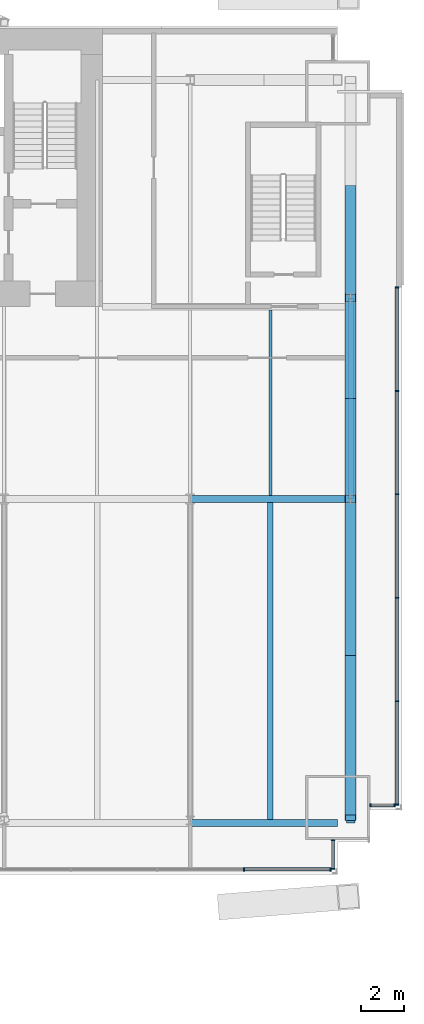
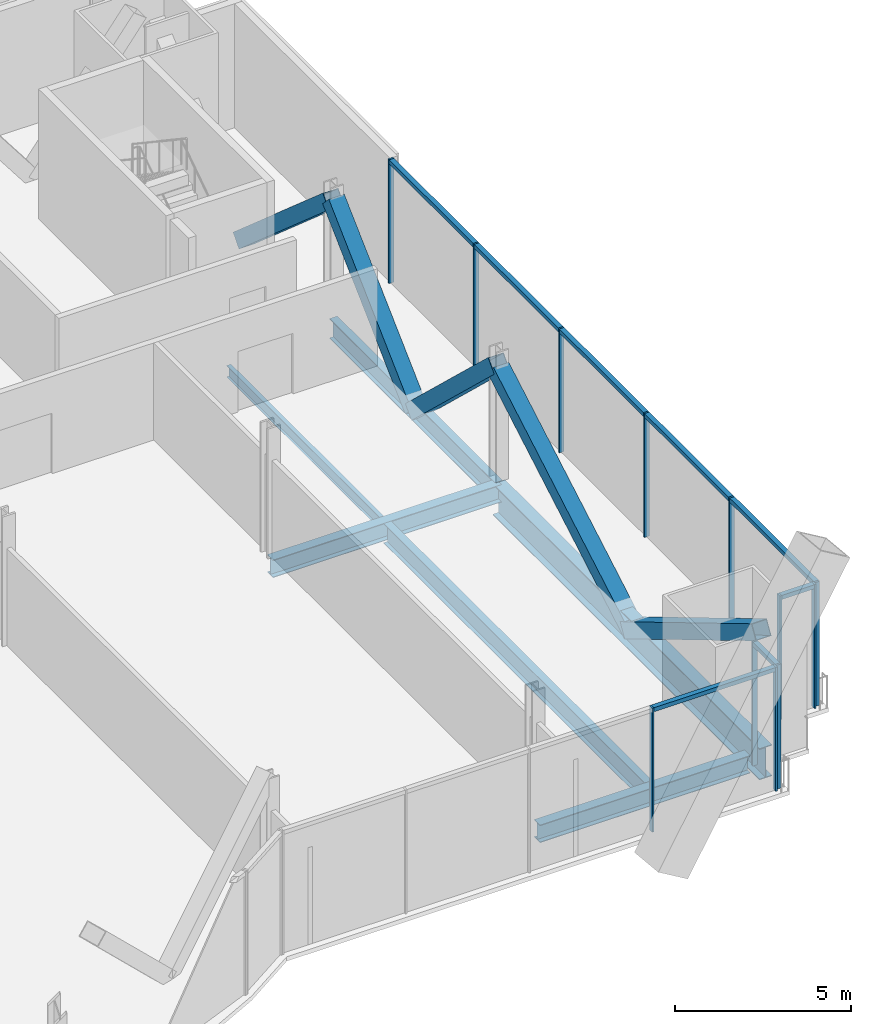
# One storey, part 12 of 21: 25 members, 6 beams, 4 elements without a shape of their own.
"""IFC4 building model written with IfcOpenShell, lengths in metres."""

from ifc_helpers import new_model, si_unit, direction, frame, origin, origin_2d, place, context, subcontext, project, spatial, rectangle, hollow_rectangle, i_section, extrude, material, material_profile, profile_set, type_object, element, aggregate, save


model = new_model("IFC4")

# Units and contexts
model_context = context("Model", 3, precision=1e-05, world=origin(), true_north=direction((0.0, 1.0)))
body_context = subcontext(model_context, "Body", "Model", "MODEL_VIEW")
ifc_project = project(units=[si_unit("LENGTHUNIT", "METRE"), si_unit("AREAUNIT", "SQUARE_METRE"), si_unit("VOLUMEUNIT", "CUBIC_METRE"), si_unit("PLANEANGLEUNIT", "RADIAN"), si_unit("MASSUNIT", "GRAM", prefix="KILO")], contexts=[model_context])

# Site, building, storey
site_placement = place(None, origin())
site = spatial("IfcSite", under=ifc_project, at=site_placement, CompositionType="ELEMENT")
building_placement = place(site_placement, origin())
building = spatial("IfcBuilding", under=site, at=building_placement, Name="Bicima Exchange Tower", CompositionType="ELEMENT")
storey_placement = place(building_placement, frame((0.0, 0.0, 80.0)))
storey = spatial("IfcBuildingStorey", under=building, at=storey_placement, Name="L16", CompositionType="ELEMENT", Elevation=80.0)

# Curtain wall, members
ifc_material_1 = material(Name="Anodised bronze aluminium", Category="aluminium")
curtain_wall_type_1 = type_object("IfcCurtainWallType", Name="End face glass wall", PredefinedType="NOTDEFINED", material=ifc_material_1)
curtain_wall_1_placement = place(storey_placement, origin())
curtain_wall_1 = element("IfcCurtainWall", 1, at=curtain_wall_1_placement, inside=storey, type_object=curtain_wall_type_1, Name="End face glass wall L16 run 19", PredefinedType="NOTDEFINED")
ifc_material_profile_1 = material_profile(ifc_material_1, rectangle(XDim=0.159912109375, YDim=0.06005859375, at=origin_2d()))
ifc_profile_set_1 = profile_set([ifc_material_profile_1], Name="Anodised bronze aluminium")
member_type_1 = type_object("IfcMemberType", Name="End face glass wall mullion 60 x 160", PredefinedType="MULLION", material=ifc_profile_set_1)
member_1_placement = place(storey_placement, frame((35.77001953125, -36.300048828125, 0.0), z_axis=(0.0, 0.0, 1.0), x_axis=(-1.0, 0.0, 0.0)))
member_1 = element("IfcMember", 2, at=member_1_placement, type_object=member_type_1, Name="End face glass wall mullion 1", PredefinedType="MULLION", context=body_context, shape_type="SweptSolid", body=[
    extrude(rectangle(XDim=0.159912109375, YDim=0.06005859375, at=origin_2d()), origin(), (0.0, 0.0, 1.0), 4.300048828125),
])
member_2_placement = place(storey_placement, frame((35.77001953125, -31.4619140625, 0.0), z_axis=(0.0, 0.0, 1.0), x_axis=(-1.0, 0.0, 0.0)))
member_2 = element("IfcMember", 3, at=member_2_placement, type_object=member_type_1, Name="End face glass wall mullion 2", PredefinedType="MULLION", context=body_context, shape_type="SweptSolid", body=[
    extrude(rectangle(XDim=0.159912109375, YDim=0.06005859375, at=origin_2d()), origin(), (0.0, 0.0, 1.0), 4.300048828125),
])
member_3_placement = place(storey_placement, frame((35.77001953125, -26.6240234375, 0.0), z_axis=(0.0, 0.0, 1.0), x_axis=(-1.0, 0.0, 0.0)))
member_3 = element("IfcMember", 4, at=member_3_placement, type_object=member_type_1, Name="End face glass wall mullion 3", PredefinedType="MULLION", context=body_context, shape_type="SweptSolid", body=[
    extrude(rectangle(XDim=0.159912109375, YDim=0.06005859375, at=origin_2d()), origin(), (0.0, 0.0, 1.0), 4.300048828125),
])
member_4_placement = place(storey_placement, frame((35.77001953125, -21.785888671875, 0.0), z_axis=(0.0, 0.0, 1.0), x_axis=(-1.0, 0.0, 0.0)))
member_4 = element("IfcMember", 5, at=member_4_placement, type_object=member_type_1, Name="End face glass wall mullion 4", PredefinedType="MULLION", context=body_context, shape_type="SweptSolid", body=[
    extrude(rectangle(XDim=0.159912109375, YDim=0.06005859375, at=origin_2d()), origin(), (0.0, 0.0, 1.0), 4.300048828125),
])
member_5_placement = place(storey_placement, frame((35.77001953125, -16.947998046875, 0.0), z_axis=(0.0, 0.0, 1.0), x_axis=(-1.0, 0.0, 0.0)))
member_5 = element("IfcMember", 6, at=member_5_placement, type_object=member_type_1, Name="End face glass wall mullion 5", PredefinedType="MULLION", context=body_context, shape_type="SweptSolid", body=[
    extrude(rectangle(XDim=0.159912109375, YDim=0.06005859375, at=origin_2d()), origin(), (0.0, 0.0, 1.0), 4.300048828125),
])
member_6_placement = place(storey_placement, frame((35.77001953125, -12.110107421875, 0.0), z_axis=(0.0, 0.0, 1.0), x_axis=(-1.0, 0.0, 0.0)))
member_6 = element("IfcMember", 7, at=member_6_placement, type_object=member_type_1, Name="End face glass wall mullion 6", PredefinedType="MULLION", context=body_context, shape_type="SweptSolid", body=[
    extrude(rectangle(XDim=0.159912109375, YDim=0.06005859375, at=origin_2d()), origin(), (0.0, 0.0, 1.0), 4.300048828125),
])
ifc_material_profile_2 = material_profile(ifc_material_1, rectangle(XDim=0.159912109375, YDim=0.139892578125, at=origin_2d()))
ifc_profile_set_2 = profile_set([ifc_material_profile_2], Name="Anodised bronze aluminium")
member_type_2 = type_object("IfcMemberType", Name="End face glass wall transom 140 x 160", PredefinedType="USERDEFINED", material=ifc_profile_set_2)
member_7_placement = place(storey_placement, frame((35.77001953125, -36.27001953125, 4.22998046875), z_axis=(0.0, 1.0, 0.0), x_axis=(-1.0, 0.0, 0.0)))
member_7 = element("IfcMember", 8, at=member_7_placement, type_object=member_type_2, Name="End face glass wall transom 1.1", ObjectType="TRANSOM", PredefinedType="USERDEFINED", context=body_context, shape_type="SweptSolid", body=[
    extrude(rectangle(XDim=0.159912109375, YDim=0.139892578125, at=origin_2d()), origin(), (0.0, 0.0, 1.0), 4.778076171875),
])
member_8_placement = place(storey_placement, frame((35.77001953125, -31.431884765625, 4.22998046875), z_axis=(0.0, 1.0, 0.0), x_axis=(-1.0, 0.0, 0.0)))
member_8 = element("IfcMember", 9, at=member_8_placement, type_object=member_type_2, Name="End face glass wall transom 2.1", ObjectType="TRANSOM", PredefinedType="USERDEFINED", context=body_context, shape_type="SweptSolid", body=[
    extrude(rectangle(XDim=0.159912109375, YDim=0.139892578125, at=origin_2d()), origin(), (0.0, 0.0, 1.0), 4.77783203125),
])
member_9_placement = place(storey_placement, frame((35.77001953125, -26.593994140625, 4.22998046875), z_axis=(0.0, 1.0, 0.0), x_axis=(-1.0, 0.0, 0.0)))
member_9 = element("IfcMember", 10, at=member_9_placement, type_object=member_type_2, Name="End face glass wall transom 3.1", ObjectType="TRANSOM", PredefinedType="USERDEFINED", context=body_context, shape_type="SweptSolid", body=[
    extrude(rectangle(XDim=0.159912109375, YDim=0.139892578125, at=origin_2d()), origin(), (0.0, 0.0, 1.0), 4.778076171875),
])
member_10_placement = place(storey_placement, frame((35.77001953125, -21.756103515625, 4.22998046875), z_axis=(0.0, 1.0, 0.0), x_axis=(-1.0, 0.0, 0.0)))
member_10 = element("IfcMember", 11, at=member_10_placement, type_object=member_type_2, Name="End face glass wall transom 4.1", ObjectType="TRANSOM", PredefinedType="USERDEFINED", context=body_context, shape_type="SweptSolid", body=[
    extrude(rectangle(XDim=0.159912109375, YDim=0.139892578125, at=origin_2d()), origin(), (0.0, 0.0, 1.0), 4.778076171875),
])
member_11_placement = place(storey_placement, frame((35.77001953125, -16.91796875, 4.22998046875), z_axis=(0.0, 1.0, 0.0), x_axis=(-1.0, 0.0, 0.0)))
member_11 = element("IfcMember", 12, at=member_11_placement, type_object=member_type_2, Name="End face glass wall transom 5.1", ObjectType="TRANSOM", PredefinedType="USERDEFINED", context=body_context, shape_type="SweptSolid", body=[
    extrude(rectangle(XDim=0.159912109375, YDim=0.139892578125, at=origin_2d()), origin(), (0.0, 0.0, 1.0), 4.778076171875),
])
aggregate(curtain_wall_1, [member_1, member_2, member_3, member_4, member_5, member_6, member_7, member_8, member_9, member_10, member_11])

# Beams
ifc_material_2 = material(Name="Steel ASTM A992 Gr 50", Category="steel")
ifc_material_profile_3 = material_profile(ifc_material_2, i_section(OverallWidth=0.256591796875, OverallDepth=0.693359375, WebThickness=0.014404296875, FlangeThickness=0.023681640625, at=origin_2d()))
ifc_profile_set_3 = profile_set([ifc_material_profile_3], Name="Steel ASTM A992 Gr 50")
beam_type_1 = type_object("IfcBeamType", Name="End girder W27x114", PredefinedType="BEAM", material=ifc_profile_set_3)
beam_1_placement = place(storey_placement, frame((33.60009765625, -12.60009765625, -0.49658203125), z_axis=(0.0, -1.0, 0.0), x_axis=(1.0, 0.0, 0.0)))
element("IfcBeam", 13, at=beam_1_placement, inside=storey, type_object=beam_type_1, Name="End girder", PredefinedType="BEAM", context=body_context, shape_type="SweptSolid", body=[
    extrude(i_section(OverallWidth=0.256591796875, OverallDepth=0.693359375, WebThickness=0.014404296875, FlangeThickness=0.023681640625, at=origin_2d()), origin(), (0.0, 0.0, 1.0), 9.39990234375),
])
ifc_material_profile_4 = material_profile(ifc_material_2, i_section(OverallWidth=0.4013671875, OverallDepth=1.089599609375, WebThickness=0.01806640625, FlangeThickness=0.031005859375, at=origin_2d()))
ifc_profile_set_4 = profile_set([ifc_material_profile_4], Name="Steel ASTM A992 Gr 50")
beam_type_2 = type_object("IfcBeamType", Name="End girder W44x230", PredefinedType="BEAM", material=ifc_profile_set_4)
beam_2_placement = place(storey_placement, frame((33.60009765625, -22.0, -0.69482421875), z_axis=(0.0, -1.0, 0.0), x_axis=(1.0, 0.0, 0.0)))
element("IfcBeam", 14, at=beam_2_placement, inside=storey, type_object=beam_type_2, Name="End girder", PredefinedType="BEAM", context=body_context, shape_type="SweptSolid", body=[
    extrude(i_section(OverallWidth=0.4013671875, OverallDepth=1.089599609375, WebThickness=0.01806640625, FlangeThickness=0.031005859375, at=origin_2d()), origin(), (0.0, 0.0, 1.0), 15.159912109375),
])
ifc_material_profile_5 = material_profile(ifc_material_2, i_section(OverallWidth=0.140380859375, OverallDepth=0.40380859375, WebThickness=0.007080078125, FlangeThickness=0.01123046875, at=origin_2d()))
ifc_profile_set_5 = profile_set([ifc_material_profile_5], Name="Steel ASTM A992 Gr 50")
beam_type_3 = type_object("IfcBeamType", Name="Floor beam W16x31", PredefinedType="JOIST", material=ifc_profile_set_5)
beam_3_placement = place(storey_placement, frame((29.85009765625, -13.15234375, -0.351806640625), z_axis=(0.0, -1.0, 0.0), x_axis=(1.0, 0.0, 0.0)))
element("IfcBeam", 15, at=beam_3_placement, inside=storey, type_object=beam_type_3, Name="Floor beam", PredefinedType="JOIST", context=body_context, shape_type="SweptSolid", body=[
    extrude(i_section(OverallWidth=0.140380859375, OverallDepth=0.40380859375, WebThickness=0.007080078125, FlangeThickness=0.01123046875, at=origin_2d()), origin(), (0.0, 0.0, 1.0), 8.68505859375),
])
ifc_material_profile_6 = material_profile(ifc_material_2, i_section(OverallWidth=0.25390625, OverallDepth=0.67822265625, WebThickness=0.01171875, FlangeThickness=0.016357421875, at=origin_2d()))
ifc_profile_set_6 = profile_set([ifc_material_profile_6], Name="Steel ASTM A992 Gr 50")
beam_type_4 = type_object("IfcBeamType", Name="Floor beam W27x84", PredefinedType="JOIST", material=ifc_profile_set_6)
beam_4_placement = place(storey_placement, frame((29.85009765625, -22.16259765625, -0.489013671875), z_axis=(0.0, -1.0, 0.0), x_axis=(1.0, 0.0, 0.0)))
element("IfcBeam", 16, at=beam_4_placement, inside=storey, type_object=beam_type_4, Name="Floor beam", PredefinedType="JOIST", context=body_context, shape_type="SweptSolid", body=[
    extrude(i_section(OverallWidth=0.25390625, OverallDepth=0.67822265625, WebThickness=0.01171875, FlangeThickness=0.016357421875, at=origin_2d()), origin(), (0.0, 0.0, 1.0), 14.834716796875),
])
ifc_material_profile_7 = material_profile(ifc_material_2, i_section(OverallWidth=0.3251953125, OverallDepth=0.612060546875, WebThickness=0.0126953125, FlangeThickness=0.01904296875, at=origin_2d()))
ifc_profile_set_7 = profile_set([ifc_material_profile_7], Name="Steel ASTM A992 Gr 50")
beam_type_5 = type_object("IfcBeamType", Name="Front girder W24x104", PredefinedType="BEAM", material=ifc_profile_set_7)
beam_5_placement = place(storey_placement, frame((26.10009765625, -37.159912109375, -0.4560546875), z_axis=(1.0, 0.0, 0.0), x_axis=(0.0, 1.0, 0.0)))
element("IfcBeam", 17, at=beam_5_placement, inside=storey, type_object=beam_type_5, Name="Front girder", PredefinedType="BEAM", context=body_context, shape_type="SweptSolid", body=[
    extrude(i_section(OverallWidth=0.3251953125, OverallDepth=0.612060546875, WebThickness=0.0126953125, FlangeThickness=0.01904296875, at=origin_2d()), origin(), (0.0, 0.0, 1.0), 6.89990234375),
])

# Curtain wall, members
curtain_wall_type_2 = type_object("IfcCurtainWallType", Name="Front glass wall", PredefinedType="NOTDEFINED", material=ifc_material_1)
curtain_wall_2_placement = place(storey_placement, origin())
curtain_wall_2 = element("IfcCurtainWall", 18, at=curtain_wall_2_placement, inside=storey, type_object=curtain_wall_type_2, Name="Front glass wall L16 run 16", PredefinedType="NOTDEFINED")
member_type_3 = type_object("IfcMemberType", Name="Front glass wall mullion 60 x 160", PredefinedType="MULLION", material=ifc_profile_set_1)
member_12_placement = place(storey_placement, frame((28.610595703125, -39.330078125, 0.0), z_axis=(0.0, 0.0, 1.0), x_axis=(0.0, 1.0, 0.0)))
member_12 = element("IfcMember", 19, at=member_12_placement, type_object=member_type_3, Name="Front glass wall mullion 4", PredefinedType="MULLION", context=body_context, shape_type="SweptSolid", body=[
    extrude(rectangle(XDim=0.159912109375, YDim=0.06005859375, at=origin_2d()), origin(), (0.0, 0.0, 1.0), 4.300048828125),
])
member_13_placement = place(storey_placement, frame((32.659912109375, -39.330078125, 0.0), z_axis=(0.0, 0.0, 1.0), x_axis=(0.0, 1.0, 0.0)))
member_13 = element("IfcMember", 20, at=member_13_placement, type_object=member_type_3, Name="Front glass wall mullion 5", PredefinedType="MULLION", context=body_context, shape_type="SweptSolid", body=[
    extrude(rectangle(XDim=0.159912109375, YDim=0.06005859375, at=origin_2d()), origin(), (0.0, 0.0, 1.0), 4.300048828125),
])

curtain_wall_3_placement = place(storey_placement, origin())
curtain_wall_3 = element("IfcCurtainWall", 21, at=curtain_wall_3_placement, inside=storey, type_object=curtain_wall_type_2, Name="Front glass wall L16 run 17", PredefinedType="NOTDEFINED")
member_14_placement = place(storey_placement, frame((32.77001953125, -39.300048828125, 0.0), z_axis=(0.0, 0.0, 1.0), x_axis=(-1.0, 0.0, 0.0)))
member_14 = element("IfcMember", 22, at=member_14_placement, type_object=member_type_3, Name="Front glass wall mullion 1", PredefinedType="MULLION", context=body_context, shape_type="SweptSolid", body=[
    extrude(rectangle(XDim=0.159912109375, YDim=0.06005859375, at=origin_2d()), origin(), (0.0, 0.0, 1.0), 4.300048828125),
])
member_15_placement = place(storey_placement, frame((32.77001953125, -37.968017578125, 0.0), z_axis=(0.0, 0.0, 1.0), x_axis=(-1.0, 0.0, 0.0)))
member_15 = element("IfcMember", 23, at=member_15_placement, type_object=member_type_3, Name="Front glass wall mullion 2", PredefinedType="MULLION", context=body_context, shape_type="SweptSolid", body=[
    extrude(rectangle(XDim=0.159912109375, YDim=0.06005859375, at=origin_2d()), origin(), (0.0, 0.0, 1.0), 4.300048828125),
])

curtain_wall_4_placement = place(storey_placement, origin())
curtain_wall_4 = element("IfcCurtainWall", 24, at=curtain_wall_4_placement, inside=storey, type_object=curtain_wall_type_2, Name="Front glass wall L16 run 18", PredefinedType="NOTDEFINED")
member_16_placement = place(storey_placement, frame((34.530029296875, -36.330078125, 0.0), z_axis=(0.0, 0.0, 1.0), x_axis=(0.0, 1.0, 0.0)))
member_16 = element("IfcMember", 25, at=member_16_placement, type_object=member_type_3, Name="Front glass wall mullion 1", PredefinedType="MULLION", context=body_context, shape_type="SweptSolid", body=[
    extrude(rectangle(XDim=0.159912109375, YDim=0.06005859375, at=origin_2d()), origin(), (0.0, 0.0, 1.0), 4.300048828125),
])
member_17_placement = place(storey_placement, frame((35.659912109375, -36.330078125, 0.0), z_axis=(0.0, 0.0, 1.0), x_axis=(0.0, 1.0, 0.0)))
member_17 = element("IfcMember", 26, at=member_17_placement, type_object=member_type_3, Name="Front glass wall mullion 2", PredefinedType="MULLION", context=body_context, shape_type="SweptSolid", body=[
    extrude(rectangle(XDim=0.159912109375, YDim=0.06005859375, at=origin_2d()), origin(), (0.0, 0.0, 1.0), 4.300048828125),
])

# Member
member_type_4 = type_object("IfcMemberType", Name="Front glass wall transom 140 x 160", PredefinedType="USERDEFINED", material=ifc_profile_set_2)
member_18_placement = place(storey_placement, frame((28.640380859375, -39.330078125, 4.22998046875), z_axis=(1.0, 0.0, 0.0), x_axis=(0.0, 1.0, 0.0)))
member_18 = element("IfcMember", 27, at=member_18_placement, type_object=member_type_4, Name="Front glass wall transom 4.1", ObjectType="TRANSOM", PredefinedType="USERDEFINED", context=body_context, shape_type="SweptSolid", body=[
    extrude(rectangle(XDim=0.159912109375, YDim=0.139892578125, at=origin_2d()), origin(), (0.0, 0.0, 1.0), 3.989501953125),
])

aggregate(curtain_wall_2, [member_12, member_13, member_18])

member_19_placement = place(storey_placement, frame((32.77001953125, -39.27001953125, 4.22998046875), z_axis=(0.0, 1.0, 0.0), x_axis=(-1.0, 0.0, 0.0)))
member_19 = element("IfcMember", 28, at=member_19_placement, type_object=member_type_4, Name="Front glass wall transom 1.1", ObjectType="TRANSOM", PredefinedType="USERDEFINED", context=body_context, shape_type="SweptSolid", body=[
    extrude(rectangle(XDim=0.159912109375, YDim=0.139892578125, at=origin_2d()), origin(), (0.0, 0.0, 1.0), 1.27197265625),
])

aggregate(curtain_wall_3, [member_14, member_15, member_19])

member_20_placement = place(storey_placement, frame((34.56005859375, -36.330078125, 4.22998046875), z_axis=(1.0, 0.0, 0.0), x_axis=(0.0, 1.0, 0.0)))
member_20 = element("IfcMember", 29, at=member_20_placement, type_object=member_type_4, Name="Front glass wall transom 1.1", ObjectType="TRANSOM", PredefinedType="USERDEFINED", context=body_context, shape_type="SweptSolid", body=[
    extrude(rectangle(XDim=0.159912109375, YDim=0.139892578125, at=origin_2d()), origin(), (0.0, 0.0, 1.0), 1.06982421875),
])

aggregate(curtain_wall_4, [member_16, member_17, member_20])

# Members
ifc_material_3 = material(Name="Steel ASTM A572 Gr 50", Category="steel")
ifc_material_profile_8 = material_profile(ifc_material_3, hollow_rectangle(XDim=0.508056640625, YDim=0.508056640625, WallThickness=0.017822265625, at=origin_2d()))
ifc_profile_set_8 = profile_set([ifc_material_profile_8], Name="Steel ASTM A572 Gr 50")
member_type_5 = type_object("IfcMemberType", Name="Mega brace HSS20x20x3/4", PredefinedType="BRACE", material=ifc_profile_set_8)
member_21_placement = place(storey_placement, frame((33.60009765625, -7.5, -0.49658203125), z_axis=(0.0, -0.753501002408, 0.657446757822), x_axis=(1.0, 0.0, 0.0)))
element("IfcMember", 30, at=member_21_placement, inside=storey, type_object=member_type_5, Name="Mega brace east end", PredefinedType="BRACE", context=body_context, shape_type="SweptSolid", body=[
    extrude(hollow_rectangle(XDim=0.508056640625, YDim=0.508056640625, WallThickness=0.017822265625, at=origin_2d()), origin(), (0.0, 0.0, 1.0), 6.7685546875),
])
for number, where, z_axis, x_axis, name in (
    (31, (33.60009765625, -17.300048828125, -0.49658203125), (0.0, -0.726155846904, 0.687530134617), (1.0, 0.0, 0.0), "Mega brace east end"),
    (32, (33.60009765625, -17.300048828125, -0.49658203125), (0.0, 0.726155846904, 0.687530134617), (-1.0, 0.0, 0.0), "Mega brace east end"),
):
    element("IfcMember", number, at=place(storey_placement, frame(where, z_axis=z_axis, x_axis=x_axis)), inside=storey, type_object=member_type_5, Name=name, PredefinedType="BRACE", context=body_context, shape_type="SweptSolid", body=[
        extrude(hollow_rectangle(XDim=0.508056640625, YDim=0.508056640625, WallThickness=0.017822265625, at=origin_2d()), origin(), (0.0, 0.0, 1.0), 6.472412109375),
    ])
member_22_placement = place(storey_placement, frame((33.60009765625, -29.4580078125, -0.69482421875), z_axis=(0.0, -0.858752885041, 0.51238997105), x_axis=(1.0, 0.0, 0.0)))
element("IfcMember", 33, at=member_22_placement, inside=storey, type_object=member_type_5, Name="Mega brace east end", PredefinedType="BRACE", context=body_context, shape_type="SweptSolid", body=[
    extrude(hollow_rectangle(XDim=0.508056640625, YDim=0.508056640625, WallThickness=0.017822265625, at=origin_2d()), origin(), (0.0, 0.0, 1.0), 8.684814453125),
])
member_23_placement = place(storey_placement, frame((33.60009765625, -29.701904296875, -0.69482421875), z_axis=(0.0, 0.865866922677, 0.50027439692), x_axis=(-1.0, 0.0, 0.0)))
element("IfcMember", 34, at=member_23_placement, inside=storey, type_object=member_type_5, Name="Mega brace east end", PredefinedType="BRACE", context=body_context, shape_type="SweptSolid", body=[
    extrude(hollow_rectangle(XDim=0.508056640625, YDim=0.508056640625, WallThickness=0.017822265625, at=origin_2d()), origin(), (0.0, 0.0, 1.0), 8.89501953125),
])

# Beam
beam_type_6 = type_object("IfcBeamType", Name="Row girder W24x104", PredefinedType="BEAM", material=ifc_profile_set_7)
beam_6_placement = place(storey_placement, frame((26.10009765625, -22.0, -0.4560546875), z_axis=(1.0, 0.0, 0.0), x_axis=(0.0, 1.0, 0.0)))
element("IfcBeam", 35, at=beam_6_placement, inside=storey, type_object=beam_type_6, Name="Row girder", PredefinedType="BEAM", context=body_context, shape_type="SweptSolid", body=[
    extrude(i_section(OverallWidth=0.3251953125, OverallDepth=0.612060546875, WebThickness=0.0126953125, FlangeThickness=0.01904296875, at=origin_2d()), origin(), (0.0, 0.0, 1.0), 7.5),
])

save(model, "model.ifc")
